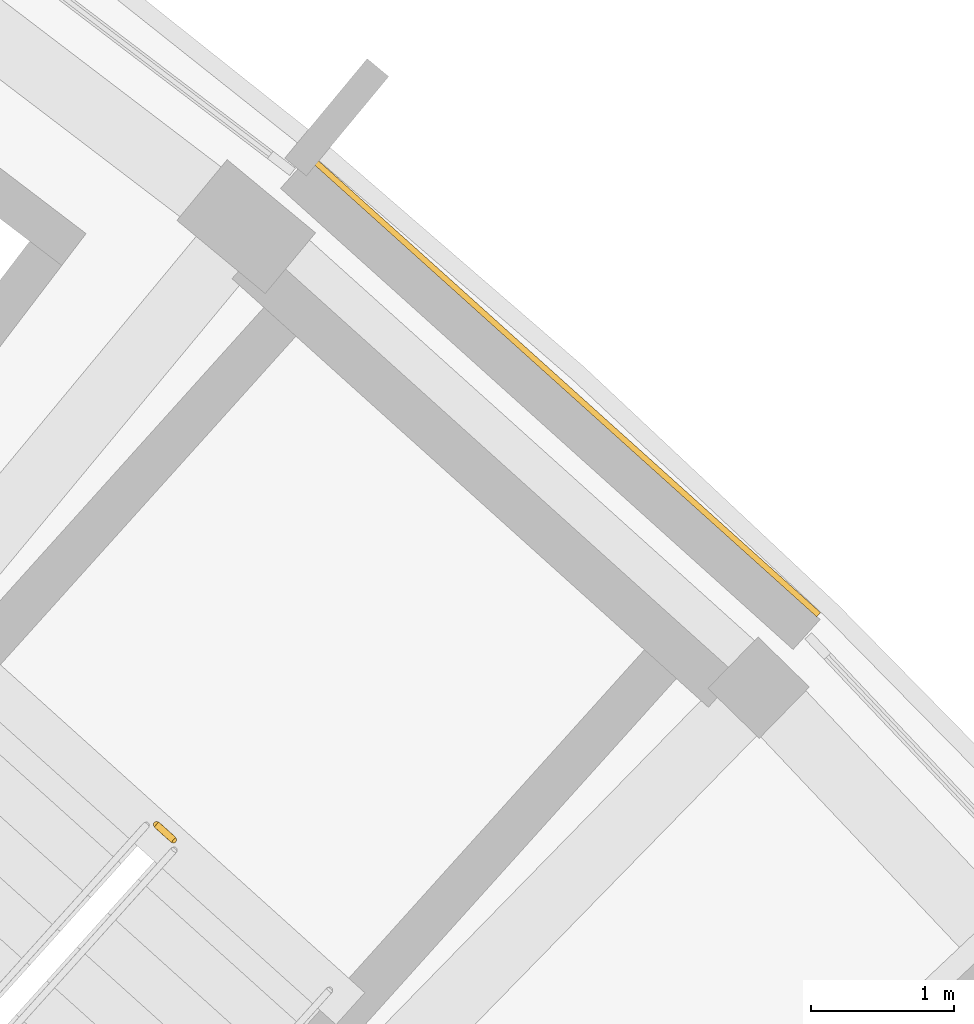
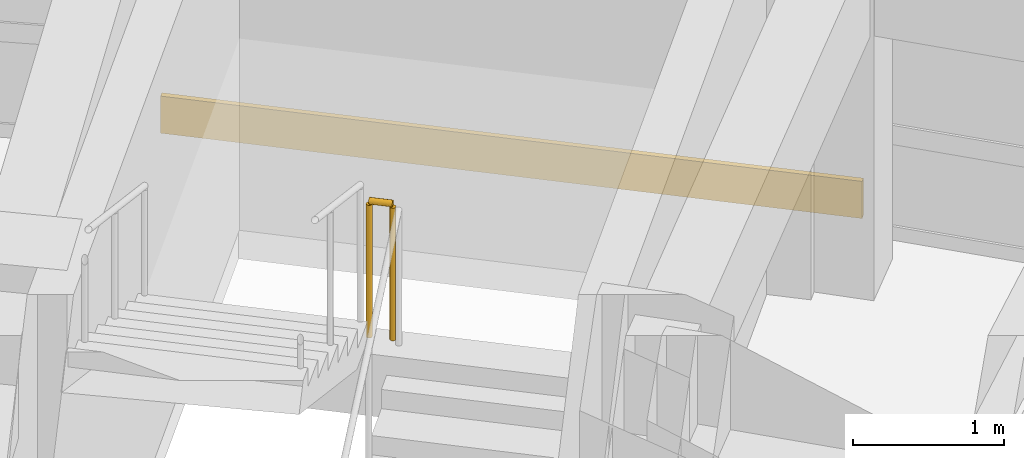
# One storey, part 66 of 70: 1 covering, 1 railing.
"""IFC4 building model written with IfcOpenShell, lengths in metres."""

from ifc_helpers import new_model, si_unit, direction, frame, origin, origin_2d, place, context, subcontext, project, spatial, rectangle, circle, extrude, material, layer, layer_set, type_object, element, save


model = new_model("IFC4")

# Units and contexts
model_context = context("Model", 3, precision=1e-05, world=origin(), true_north=direction((0.0, 1.0)))
body_context = subcontext(model_context, "Body", "Model", "MODEL_VIEW")
ifc_project = project(units=[si_unit("LENGTHUNIT", "METRE"), si_unit("AREAUNIT", "SQUARE_METRE"), si_unit("VOLUMEUNIT", "CUBIC_METRE"), si_unit("PLANEANGLEUNIT", "RADIAN"), si_unit("MASSUNIT", "GRAM", prefix="KILO")], contexts=[model_context])

# Site, building, storey
site_placement = place(None, origin())
site = spatial("IfcSite", under=ifc_project, at=site_placement, CompositionType="ELEMENT")
building_placement = place(site_placement, origin())
building = spatial("IfcBuilding", under=site, at=building_placement, Name="Zimvara Arc Housing Community", CompositionType="ELEMENT")
storey_placement = place(building_placement, frame((0.0, 0.0, 8.10009765625)))
storey = spatial("IfcBuildingStorey", under=building, at=storey_placement, Name="L02", CompositionType="ELEMENT", Elevation=8.10009765625)

# Covering
ifc_material_1 = material(Name="Pale-Gold Anodised Aluminium Cladding", Category="aluminium")
ifc_layer = layer(ifc_material_1, 0.0400390625)
ifc_layer_set = layer_set([ifc_layer], Name="Pale-Gold Anodised Aluminium Cladding")
covering_type = type_object("IfcCoveringType", Name="CLD-GOLD-01", PredefinedType="CLADDING", material=ifc_layer_set)
covering_placement = place(storey_placement, frame((84.790771484375, 88.72314453125, 0.009765625), z_axis=(0.0, 0.0, 1.0), x_axis=(0.74337718344, -0.668872456557, 0.0)))
element("IfcCovering", 1, at=covering_placement, inside=storey, type_object=covering_type, Name="cld:blkB:L02:out:b8", PredefinedType="CLADDING", context=body_context, shape_type="SweptSolid", body=[
    extrude(rectangle(XDim=4.748779296875, YDim=0.0400390625, at=origin_2d()), origin(), (0.0, 0.0, 1.0), 0.300048828125),
])

# Railing
ifc_material_2 = material(Name="Anodised Aluminium AW-6063", Category="aluminium")
railing_type = type_object("IfcRailingType", Name="RLG-BAL-1120", PredefinedType="BALUSTRADE", material=ifc_material_2)
railing_placement = place(storey_placement, frame((82.05615234375, 85.564208984375, 1.5498046875)))
element("IfcRailing", 2, at=railing_placement, inside=storey, type_object=railing_type, Name="L02 ST-B2 stair guard 2", PredefinedType="BALUSTRADE", context=body_context, shape_type="SweptSolid", body=[
    extrude(circle(Radius=0.02392578125, at=origin_2d()), frame((0.0, 0.0, 1.09619140625), z_axis=(-0.744203407529, 0.667953058397, 0.0), x_axis=(-0.667953058397, -0.744203407529, 0.0)), (0.0, 0.0, 1.0), 0.16015625),
    extrude(circle(Radius=0.02099609375, at=origin_2d()), origin(), (0.0, 0.0, 1.0), 1.072021484375),
    extrude(circle(Radius=0.02099609375, at=origin_2d()), frame((-0.119140625, 0.10693359375, 0.0)), (0.0, 0.0, 1.0), 1.072021484375),
])

save(model, "model.ifc")
